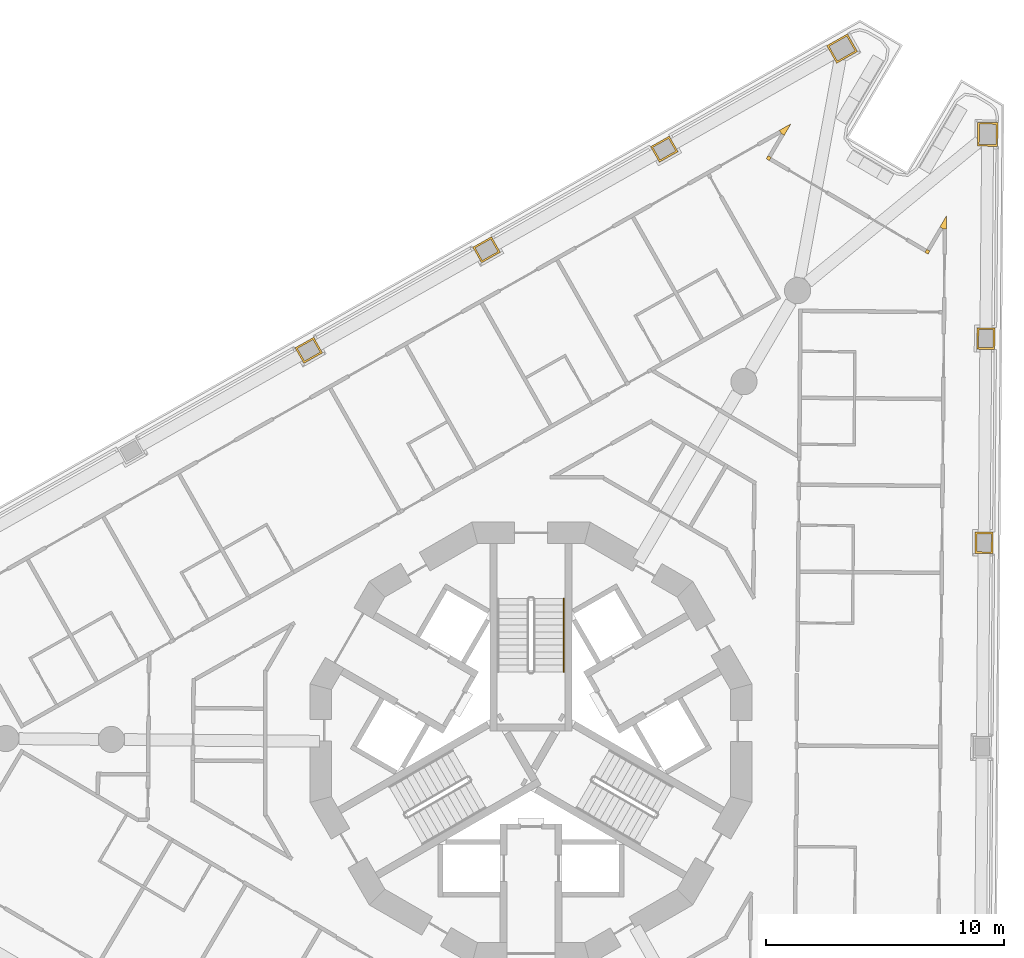
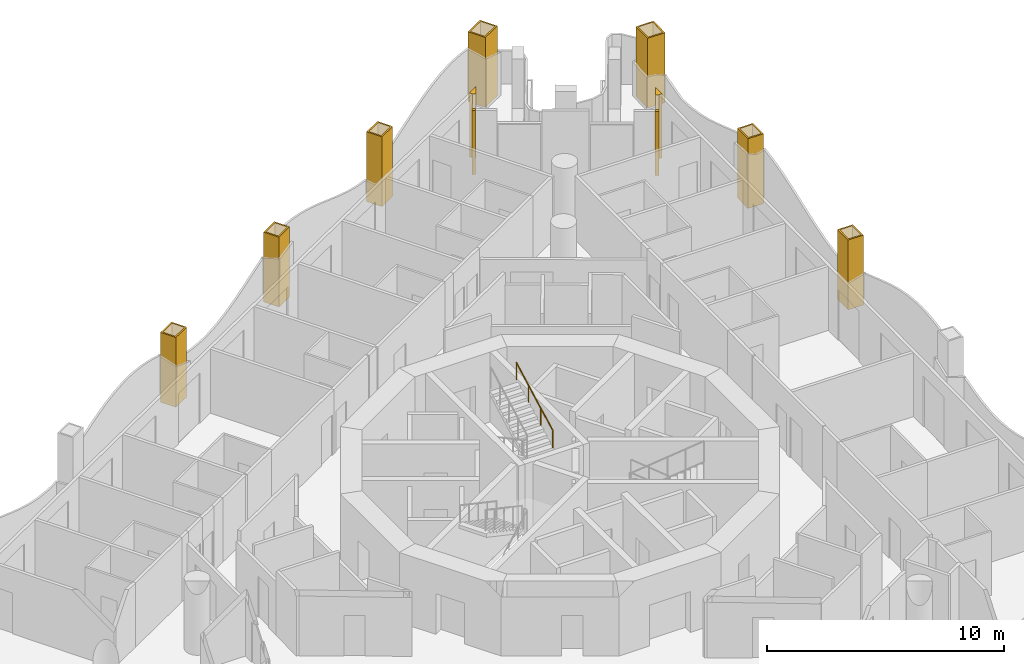
# One storey, part 16 of 17: 11 coverings, 1 railing.
"""IFC4 building model written with IfcOpenShell, lengths in metres."""

import ifcopenshell
import ifcopenshell.guid

model = None  # the IFC model being written
_history = None  # IfcOwnerHistory: only IFC2X3 demands one
_inside = {}  # id of a spatial element -> (the spatial element, [elements in it])
_under = {}  # id of a project, library or spatial element -> (it, [spatial elements below it])
_declared = {}  # id of a project -> (the project, [libraries it declares])
_typed = {}  # id of a type object -> (the type object, [elements of that type])
_made_of = {}  # id of a material, layer set ... -> (it, [elements and type objects made of it])


def new_model(schema):
    """Start an empty IFC model of exactly this schema.

    Asked for "IFC4X3", IfcOpenShell would pick the latest addendum, in which some entities
    have other attributes; the version numbers below select the first issue.
    IFC2X3 requires an IfcOwnerHistory on every rooted entity: one is made here for all.
    """
    global model, _history
    if schema == "IFC4X3":
        model = ifcopenshell.file(schema_version=(4, 3, 0, 0))
    else:
        model = ifcopenshell.file(schema=schema)
    _inside.clear()
    _under.clear()
    _declared.clear()
    _typed.clear()
    _made_of.clear()
    _history = None
    if model.schema == "IFC2X3":
        org = make("IfcOrganization", Name="unknown")
        user = make(
            "IfcPersonAndOrganization",
            ThePerson=make("IfcPerson", FamilyName="unknown"),
            TheOrganization=org,
        )
        app = make(
            "IfcApplication",
            ApplicationDeveloper=org,
            Version="unknown",
            ApplicationFullName="unknown",
            ApplicationIdentifier="unknown",
        )
        _history = make(
            "IfcOwnerHistory",
            OwningUser=user,
            OwningApplication=app,
            ChangeAction="ADDED",
            CreationDate=0,
        )
    return model


def make(cls, **values):
    """One entity of the class cls with the attributes given. An attribute that is None is left unset."""
    return model.create_entity(
        cls, **{name: value for name, value in values.items() if value is not None}
    )


def rooted(cls, **values):
    """An entity with a GlobalId (a new one), such as an element, a storey or a relation."""
    return make(cls, GlobalId=ifcopenshell.guid.new(), OwnerHistory=_history, **values)


def si_unit(unit_type, name, prefix=None):
    """IfcSIUnit, for example si_unit("LENGTHUNIT", "METRE", prefix="MILLI")."""
    return make("IfcSIUnit", UnitType=unit_type, Prefix=prefix, Name=name)


def assignment(units):
    """IfcUnitAssignment: the units of a project."""
    return None if units is None else make("IfcUnitAssignment", Units=units)


def point(xyz):
    """IfcCartesianPoint."""
    return None if xyz is None else make("IfcCartesianPoint", Coordinates=xyz)


def direction(xyz):
    """IfcDirection."""
    return None if xyz is None else make("IfcDirection", DirectionRatios=xyz)


def frame(location, z_axis=None, x_axis=None):
    """IfcAxis2Placement3D, a coordinate frame: its origin and axes. An axis left out is left unset."""
    return make(
        "IfcAxis2Placement3D",
        Location=point(location),
        Axis=direction(z_axis),
        RefDirection=direction(x_axis),
    )


def frame_2d(location, x_axis=None):
    """IfcAxis2Placement2D, a coordinate frame in the plane: its origin and x axis."""
    return make(
        "IfcAxis2Placement2D", Location=point(location), RefDirection=direction(x_axis)
    )


def origin():
    """The frame at (0, 0, 0) with its axes left unset."""
    return frame((0.0, 0.0, 0.0))


def origin_2d():
    """The frame at (0, 0) in the plane with its x axis left unset."""
    return frame_2d((0.0, 0.0))


def place(relative_to, where):
    """IfcLocalPlacement: puts the frame where relative to a parent placement (None: the world)."""
    return make(
        "IfcLocalPlacement", PlacementRelTo=relative_to, RelativePlacement=where
    )


def context(
    kind, dimensions, precision=None, world=None, true_north=None, identifier=None
):
    """IfcGeometricRepresentationContext, for example the 3D "Model" context."""
    return make(
        "IfcGeometricRepresentationContext",
        ContextIdentifier=identifier,
        ContextType=kind,
        CoordinateSpaceDimension=dimensions,
        Precision=precision,
        WorldCoordinateSystem=world,
        TrueNorth=true_north,
    )


def subcontext(parent, identifier, kind, view, scale=None):
    """IfcGeometricRepresentationSubContext, for example "Body" below "Model"."""
    return make(
        "IfcGeometricRepresentationSubContext",
        ContextIdentifier=identifier,
        ContextType=kind,
        ParentContext=parent,
        TargetScale=scale,
        TargetView=view,
    )


def project(units=None, contexts=None):
    """IfcProject with its units and contexts."""
    return rooted(
        "IfcProject",
        Name="project",
        RepresentationContexts=contexts,
        UnitsInContext=assignment(units),
    )


def spatial(cls, under=None, at=None, **own):
    """A site, building, storey or space (cls), placed at a placement, below another one or the project."""
    s = rooted(cls, ObjectPlacement=at, **own)
    if under is not None:
        _under.setdefault(under.id(), (under, []))[1].append(s)
    return s


def polyline(points):
    """IfcPolyline through the points."""
    return make("IfcPolyline", Points=[point(p) for p in points])


def profile(cls, at=None, kind="AREA", **sizes):
    """A parametric profile (cls). Its sizes go by their IFC names, for example OverallWidth=200.0."""
    return make(cls, ProfileType=kind, Position=at, **sizes)


def circle(**sizes):
    """IfcCircleProfileDef."""
    return profile("IfcCircleProfileDef", **sizes)


def outline(outer, holes=None, kind="AREA"):
    """IfcArbitraryClosedProfileDef: a profile drawn as a closed curve; with holes, ...WithVoids."""
    if holes is None:
        return make("IfcArbitraryClosedProfileDef", ProfileType=kind, OuterCurve=outer)
    return make(
        "IfcArbitraryProfileDefWithVoids",
        ProfileType=kind,
        OuterCurve=outer,
        InnerCurves=holes,
    )


def extrude(swept, where, along, depth):
    """IfcExtrudedAreaSolid: the profile swept, set in the frame where, extruded along a direction by depth."""
    return make(
        "IfcExtrudedAreaSolid",
        SweptArea=swept,
        Position=where,
        ExtrudedDirection=direction(along),
        Depth=depth,
    )


def shape(context_of_items, identifier, shape_type, items):
    """IfcShapeRepresentation: the items that make up one representation, for example the "Body"."""
    return make(
        "IfcShapeRepresentation",
        ContextOfItems=context_of_items,
        RepresentationIdentifier=identifier,
        RepresentationType=shape_type,
        Items=items,
    )


def material(Name=None, Category=None):
    """IfcMaterial."""
    return make("IfcMaterial", Name=Name, Category=Category)


def layer(
    of_material, thickness, ventilated=None, Name=None, Category=None, Priority=None
):
    """IfcMaterialLayer: one layer of a wall or slab, of a material (None: an air gap)."""
    return make(
        "IfcMaterialLayer",
        Material=of_material,
        LayerThickness=thickness,
        IsVentilated=ventilated,
        Name=Name,
        Category=Category,
        Priority=Priority,
    )


def layer_set(layers, Name=None):
    """IfcMaterialLayerSet."""
    return make("IfcMaterialLayerSet", MaterialLayers=layers, LayerSetName=Name)


def made_of(thing, what):
    """Note that an element or type object is made of a material, layer set ...; save() writes the relation."""
    if what is not None:
        _made_of.setdefault(what.id(), (what, []))[1].append(thing)
    return thing


def type_object(cls, material=None, **own):
    """A type object (cls), such as IfcWallType, which elements share."""
    return made_of(rooted(cls, **own), material)


def element(
    cls,
    number,
    at=None,
    inside=None,
    cuts=None,
    type_object=None,
    material=None,
    context=None,
    identifier="Body",
    shape_type=None,
    held_by="IfcProductDefinitionShape",
    body=None,
    shapes=None,
    **own,
):
    """One element of the class cls, such as IfcWall. Its Tag is "e" and its number.

    at: its placement. inside: the storey or other place that contains it. cuts: it is an
    opening in that element (IfcRelVoidsElement). A single representation is given by context,
    identifier, shape_type and body (its items); several are given by shapes. held_by: the class
    of the entity that holds the representations. save() writes the other relations.
    """
    e = rooted(cls, Tag="e%d" % number, ObjectPlacement=at, **own)
    if body is not None:
        shapes = [shape(context, identifier, shape_type, body)]
    if shapes is not None:
        e.Representation = make(held_by, Representations=shapes)
    if inside is not None:
        _inside.setdefault(inside.id(), (inside, []))[1].append(e)
    if cuts is not None:
        rooted(
            "IfcRelVoidsElement", RelatingBuildingElement=cuts, RelatedOpeningElement=e
        )
    if type_object is not None:
        _typed.setdefault(type_object.id(), (type_object, []))[1].append(e)
    return made_of(e, material)


def aggregate(whole, parts):
    """IfcRelAggregates: a whole, such as a stair, and the parts it consists of."""
    return rooted("IfcRelAggregates", RelatingObject=whole, RelatedObjects=parts)


def save(model, path):
    """Write the relations noted so far, then the file.

    IfcRelAggregates (storeys below a building ...), IfcRelContainedInSpatialStructure (elements
    in a storey), IfcRelDefinesByType, IfcRelAssociatesMaterial and IfcRelDeclares: one each for
    every whole, place, type object, material and project.
    """
    for whole, parts in _under.values():
        aggregate(whole, parts)
    for where, things in _inside.values():
        rooted(
            "IfcRelContainedInSpatialStructure",
            RelatedElements=things,
            RelatingStructure=where,
        )
    for kind, things in _typed.values():
        rooted("IfcRelDefinesByType", RelatedObjects=things, RelatingType=kind)
    for what, things in _made_of.values():
        rooted("IfcRelAssociatesMaterial", RelatedObjects=things, RelatingMaterial=what)
    for by, libraries in _declared.values():
        rooted("IfcRelDeclares", RelatingContext=by, RelatedDefinitions=libraries)
    model.write(path)


model = new_model("IFC4")

# Units and contexts
model_context = context("Model", 3, precision=1e-05, world=origin(), true_north=direction((0.0, 1.0)))
body_context = subcontext(model_context, "Body", "Model", "MODEL_VIEW")
ifc_project = project(units=[si_unit("LENGTHUNIT", "METRE"), si_unit("AREAUNIT", "SQUARE_METRE"), si_unit("VOLUMEUNIT", "CUBIC_METRE"), si_unit("PLANEANGLEUNIT", "RADIAN"), si_unit("MASSUNIT", "GRAM", prefix="KILO")], contexts=[model_context])

# Site, building, storey
site_placement = place(None, origin())
site = spatial("IfcSite", under=ifc_project, at=site_placement, CompositionType="ELEMENT")
building_placement = place(site_placement, origin())
building = spatial("IfcBuilding", under=site, at=building_placement, Name="Trine Commons Tower", CompositionType="ELEMENT")
storey_placement = place(building_placement, frame((0.0, 0.0, 179.10009765625)))
storey = spatial("IfcBuildingStorey", under=building, at=storey_placement, Name="L46", CompositionType="ELEMENT", Elevation=179.10009765625)

# Coverings
ifc_material_1 = material(Name="Aluminium-framed insulated wall panel", Category="aluminium")
ifc_layer_1 = layer(ifc_material_1, 0.14990234375)
ifc_layer_set_1 = layer_set([ifc_layer_1], Name="Aluminium-framed insulated wall panel")
covering_type_1 = type_object("IfcCoveringType", Name="Glazing corner post, aluminium", PredefinedType="CLADDING", material=ifc_layer_set_1)
covering_1_placement = place(storey_placement, origin())
element("IfcCovering", 1, at=covering_1_placement, inside=storey, type_object=covering_type_1, Name="Glazing corner post 5-05", PredefinedType="CLADDING", context=body_context, shape_type="SweptSolid", body=[
    extrude(outline(polyline([(90.626220703125, 88.007080078125), (90.910400390625, 88.489501953125), (90.423095703125, 88.213623046875), (90.496826171875, 88.083251953125), (90.626220703125, 88.007080078125)])), origin(), (0.0, 0.0, 1.0), 3.2998046875),
])
covering_2_placement = place(storey_placement, origin())
element("IfcCovering", 2, at=covering_2_placement, inside=storey, type_object=covering_type_1, Name="Glazing corner post 5-06", PredefinedType="CLADDING", context=body_context, shape_type="SweptSolid", body=[
    extrude(outline(polyline([(89.9990234375, 86.9423828125), (90.0751953125, 87.071533203125), (89.94580078125, 87.147705078125), (89.86962890625, 87.018310546875), (89.9990234375, 86.9423828125)])), origin(), (0.0, 0.0, 1.0), 3.2998046875),
])
covering_3_placement = place(storey_placement, origin())
element("IfcCovering", 3, at=covering_3_placement, inside=storey, type_object=covering_type_1, Name="Glazing corner post 5-07", PredefinedType="CLADDING", context=body_context, shape_type="SweptSolid", body=[
    extrude(outline(polyline([(96.530029296875, 83.09521484375), (96.659423828125, 83.01904296875), (96.735595703125, 83.148193359375), (96.606201171875, 83.224365234375), (96.530029296875, 83.09521484375)])), origin(), (0.0, 0.0, 1.0), 3.2998046875),
])
covering_4_placement = place(storey_placement, origin())
element("IfcCovering", 4, at=covering_4_placement, inside=storey, type_object=covering_type_1, Name="Glazing corner post 5-08", PredefinedType="CLADDING", context=body_context, shape_type="SweptSolid", body=[
    extrude(outline(polyline([(97.4365234375, 84.08251953125), (97.44140625, 84.64208984375), (97.1572265625, 84.159912109375), (97.28662109375, 84.083740234375), (97.4365234375, 84.08251953125)])), origin(), (0.0, 0.0, 1.0), 3.2998046875),
])
ifc_material_2 = material(Name="Limestone, honed", Category="masonry")
ifc_layer_2 = layer(ifc_material_2, 0.074951171875)
ifc_layer_set_2 = layer_set([ifc_layer_2], Name="Limestone, honed")
covering_type_2 = type_object("IfcCoveringType", Name="Limestone column cladding 75", PredefinedType="CLADDING", material=ifc_layer_set_2)
covering_5_placement = place(storey_placement, origin())
element("IfcCovering", 5, at=covering_5_placement, inside=storey, type_object=covering_type_2, Name="Limestone pier cladding 5-11", PredefinedType="CLADDING", context=body_context, shape_type="SweptSolid", body=[
    extrude(outline(polyline([(71.2509765625, 78.877685546875), (70.881591796875, 79.530517578125), (70.098388671875, 79.087158203125), (70.4677734375, 78.434326171875), (71.2509765625, 78.877685546875)]), holes=[polyline([(71.148681640625, 78.906005859375), (70.853515625, 79.42822265625), (70.20068359375, 79.058837890625), (70.49609375, 78.53662109375), (71.148681640625, 78.906005859375)])]), origin(), (0.0, 0.0, 1.0), 3.599853515625),
])
covering_6_placement = place(storey_placement, origin())
element("IfcCovering", 6, at=covering_6_placement, inside=storey, type_object=covering_type_2, Name="Limestone pier cladding 5-12", PredefinedType="CLADDING", context=body_context, shape_type="SweptSolid", body=[
    extrude(outline(polyline([(78.71044921875, 83.097900390625), (78.34130859375, 83.750732421875), (77.557861328125, 83.3076171875), (77.92724609375, 82.65478515625), (78.71044921875, 83.097900390625)]), holes=[polyline([(78.6083984375, 83.12646484375), (78.31298828125, 83.648681640625), (77.66015625, 83.279296875), (77.95556640625, 82.757080078125), (78.6083984375, 83.12646484375)])]), origin(), (0.0, 0.0, 1.0), 3.599853515625),
])
covering_7_placement = place(storey_placement, origin())
element("IfcCovering", 7, at=covering_7_placement, inside=storey, type_object=covering_type_2, Name="Limestone pier cladding 5-13", PredefinedType="CLADDING", context=body_context, shape_type="SweptSolid", body=[
    extrude(outline(polyline([(86.169921875, 87.318359375), (85.80078125, 87.97119140625), (85.017333984375, 87.52783203125), (85.38671875, 86.875), (86.169921875, 87.318359375)]), holes=[polyline([(86.06787109375, 87.3466796875), (85.7724609375, 87.868896484375), (85.11962890625, 87.49951171875), (85.4150390625, 86.977294921875), (86.06787109375, 87.3466796875)])]), origin(), (0.0, 0.0, 1.0), 3.599853515625),
])
covering_8_placement = place(storey_placement, origin())
element("IfcCovering", 8, at=covering_8_placement, inside=storey, type_object=covering_type_2, Name="Limestone pier cladding 5-14", PredefinedType="CLADDING", context=body_context, shape_type="SweptSolid", body=[
    extrude(outline(polyline([(93.697509765625, 91.519775390625), (93.279052734375, 92.259521484375), (92.40869140625, 91.76708984375), (92.8271484375, 91.02734375), (93.697509765625, 91.519775390625)]), holes=[polyline([(93.59521484375, 91.548095703125), (93.250732421875, 92.157470703125), (92.510986328125, 91.73876953125), (92.85546875, 91.129638671875), (93.59521484375, 91.548095703125)])]), origin(), (0.0, 0.0, 1.0), 3.599853515625),
])
covering_9_placement = place(storey_placement, origin())
element("IfcCovering", 9, at=covering_9_placement, inside=storey, type_object=covering_type_2, Name="Limestone pier cladding 5-15", PredefinedType="CLADDING", context=body_context, shape_type="SweptSolid", body=[
    extrude(outline(polyline([(99.590576171875, 88.5419921875), (98.740478515625, 88.54931640625), (98.73193359375, 87.54931640625), (99.581787109375, 87.5419921875), (99.590576171875, 88.5419921875)]), holes=[polyline([(99.514892578125, 88.467529296875), (98.81494140625, 88.4736328125), (98.8076171875, 87.623779296875), (99.507568359375, 87.61767578125), (99.514892578125, 88.467529296875)])]), origin(), (0.0, 0.0, 1.0), 3.599853515625),
])
covering_10_placement = place(storey_placement, origin())
element("IfcCovering", 10, at=covering_10_placement, inside=storey, type_object=covering_type_2, Name="Limestone pier cladding 5-16", PredefinedType="CLADDING", context=body_context, shape_type="SweptSolid", body=[
    extrude(outline(polyline([(99.46533203125, 79.922119140625), (98.71533203125, 79.9287109375), (98.70751953125, 79.028564453125), (99.45751953125, 79.02197265625), (99.46533203125, 79.922119140625)]), holes=[polyline([(99.3896484375, 79.84765625), (98.789794921875, 79.852783203125), (98.783203125, 79.102783203125), (99.383056640625, 79.09765625), (99.3896484375, 79.84765625)])]), origin(), (0.0, 0.0, 1.0), 3.599853515625),
])
covering_11_placement = place(storey_placement, origin())
element("IfcCovering", 11, at=covering_11_placement, inside=storey, type_object=covering_type_2, Name="Limestone pier cladding 5-17", PredefinedType="CLADDING", context=body_context, shape_type="SweptSolid", body=[
    extrude(outline(polyline([(99.390380859375, 71.351806640625), (98.640380859375, 71.3583984375), (98.6328125, 70.458251953125), (99.3828125, 70.45166015625), (99.390380859375, 71.351806640625)]), holes=[polyline([(99.31494140625, 71.27734375), (98.71484375, 71.28271484375), (98.708251953125, 70.53271484375), (99.308349609375, 70.52734375), (99.31494140625, 71.27734375)])]), origin(), (0.0, 0.0, 1.0), 3.599853515625),
])

# Railing
ifc_material_3 = material(Name="Stainless steel handrail", Category="steel")
railing_type = type_object("IfcRailingType", Name="Stair handrail, steel 900", PredefinedType="HANDRAIL", material=ifc_material_3)
railing_placement = place(storey_placement, frame((81.375, 65.490478515625, 1.949951171875)))
element("IfcRailing", 12, at=railing_placement, inside=storey, type_object=railing_type, Name="L46 ST1B stair handrail 2", PredefinedType="HANDRAIL", context=body_context, shape_type="SweptSolid", body=[
    extrude(circle(Radius=0.02099609375, at=origin_2d()), frame((0.0, 0.0, 0.87890625), z_axis=(0.0, 0.881496589024, 0.472190389079), x_axis=(-1.0, 0.0, 0.0)), (0.0, 0.0, 1.0), 3.494140625),
    extrude(circle(Radius=0.01513671875, at=origin_2d()), origin(), (0.0, 0.0, 1.0), 0.85791015625),
    extrude(circle(Radius=0.01513671875, at=origin_2d()), frame((0.0, 1.026611328125, 0.550048828125)), (0.0, 0.0, 1.0), 0.85791015625),
    extrude(circle(Radius=0.01513671875, at=origin_2d()), frame((0.0, 2.053466796875, 1.099853515625)), (0.0, 0.0, 1.0), 0.85791015625),
    extrude(circle(Radius=0.01513671875, at=origin_2d()), frame((0.0, 3.080078125, 1.64990234375)), (0.0, 0.0, 1.0), 0.85791015625),
])

save(model, "model.ifc")
